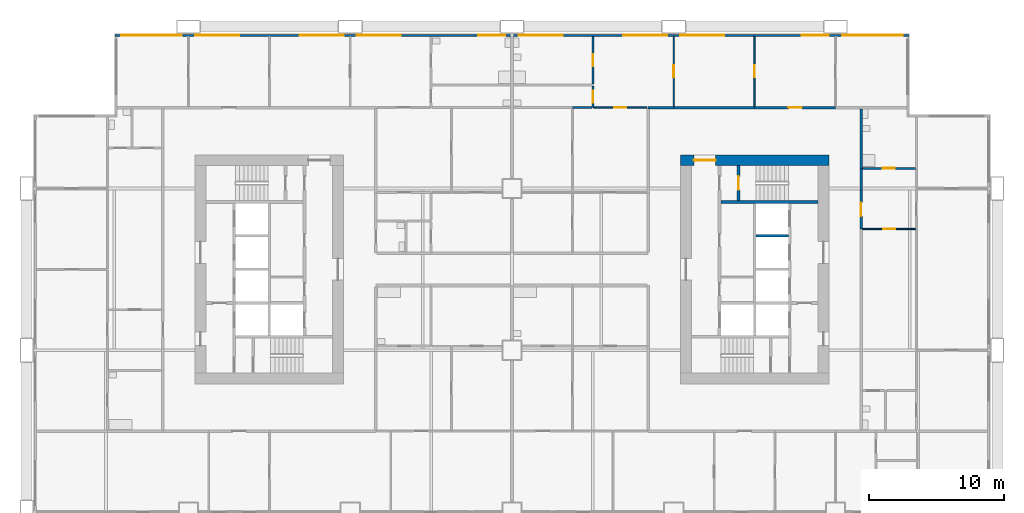
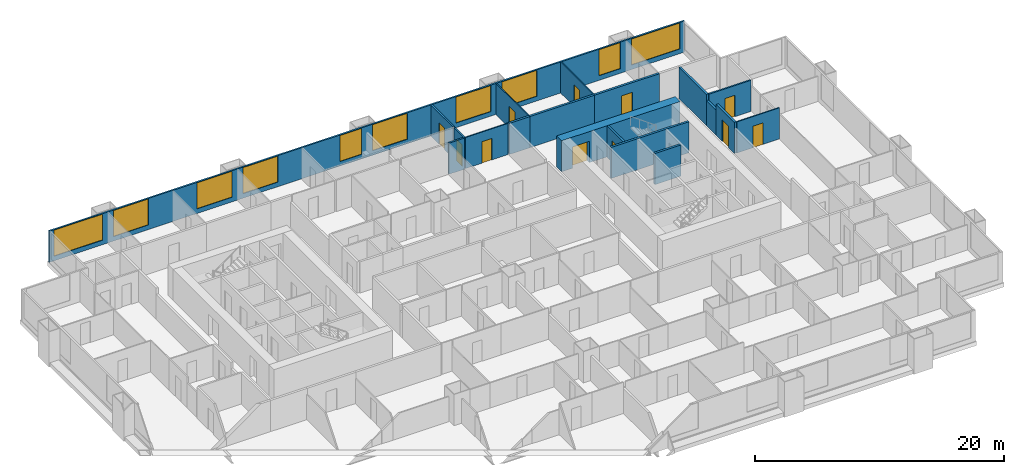
# One storey, part 9 of 13: 19 walls, 11 doors, 10 windows, 21 openings.
"""IFC4 building model written with IfcOpenShell, lengths in metres."""

from ifc_helpers import new_model, si_unit, direction, frame, frame_2d, origin, place, context, subcontext, project, spatial, rectangle, extrude, material, layer, layer_set, type_object, element, fill, save


model = new_model("IFC4")

# Units and contexts
model_context = context("Model", 3, precision=1e-05, world=origin(), true_north=direction((0.0, 1.0)))
body_context = subcontext(model_context, "Body", "Model", "MODEL_VIEW")
ifc_project = project(units=[si_unit("LENGTHUNIT", "METRE"), si_unit("AREAUNIT", "SQUARE_METRE"), si_unit("VOLUMEUNIT", "CUBIC_METRE"), si_unit("PLANEANGLEUNIT", "RADIAN"), si_unit("MASSUNIT", "GRAM", prefix="KILO")], contexts=[model_context])

# Site, building, storey
site_placement = place(None, origin())
site = spatial("IfcSite", under=ifc_project, at=site_placement, CompositionType="ELEMENT")
building_placement = place(site_placement, origin())
building = spatial("IfcBuilding", under=site, at=building_placement, Name="Kitamizu Gate Tower and Museum", CompositionType="ELEMENT")
storey_placement = place(building_placement, frame((0.0, 0.0, 36.89990234375)))
storey = spatial("IfcBuildingStorey", under=building, at=storey_placement, Name="L07", CompositionType="ELEMENT", Elevation=36.89990234375)

# Wall, opening, door
ifc_material_1 = material(Name="Concrete Fc60", Category="concrete")
ifc_layer_1 = layer(ifc_material_1, 0.800048828125)
ifc_layer_set_1 = layer_set([ifc_layer_1], Name="Concrete Fc60")
wall_type_1 = type_object("IfcWallType", Name="Core wall 800", PredefinedType="SHEAR", material=ifc_layer_set_1)
wall_1_placement = place(storey_placement, frame((59.5, 38.10009765625, 0.0), z_axis=(0.0, 0.0, 1.0), x_axis=(-1.0, 0.0, 0.0)))
wall_1 = element("IfcWall", 1, at=wall_1_placement, inside=storey, type_object=wall_type_1, Name="Core wall EN", PredefinedType="SHEAR", context=body_context, shape_type="SweptSolid", body=[
    extrude(rectangle(XDim=11.0, YDim=0.800048828125, at=frame_2d((5.5, 0.0))), origin(), (0.0, 0.0, 1.0), 3.050048828125),
])
opening_1_placement = place(wall_1_placement, frame((8.39990234375, 0.0, 0.0)))
opening_1 = element("IfcOpeningElement", 2, at=opening_1_placement, cuts=wall_1, Name="Opening L07-096", PredefinedType="OPENING", context=body_context, shape_type="SweptSolid", body=[
    extrude(rectangle(XDim=1.60009765625, YDim=2.10009765625, at=frame_2d((0.800048828125, 1.050048828125))), frame((0.0, 0.41015625, 0.0), z_axis=(0.0, -1.0, 0.0), x_axis=(1.0, 0.0, 0.0)), (0.0, 0.0, 1.0), 0.820068359375),
])
ifc_material_2 = material(Name="Timber door set", Category="wood")
door_type_1 = type_object("IfcDoorType", Name="Entrance door 1600", OperationType="DOUBLE_DOOR_SINGLE_SWING", PredefinedType="DOOR", material=ifc_material_2)
door_1_placement = place(opening_1_placement, origin())
door_1 = element("IfcDoor", 3, at=door_1_placement, inside=storey, type_object=door_type_1, Name="Lobby door L07-096", OperationType="DOUBLE_DOOR_SINGLE_SWING", OverallHeight=2.10009765625, OverallWidth=1.60009765625, PredefinedType="DOOR", context=body_context, shape_type="SweptSolid", body=[
    extrude(rectangle(XDim=1.60009765625, YDim=2.10009765625, at=frame_2d((0.800048828125, 1.050048828125))), frame((0.0, 0.02490234375, 0.0), z_axis=(0.0, -1.0, 0.0), x_axis=(1.0, 0.0, 0.0)), (0.0, 0.0, 1.0), 0.050048828125),
])
fill(opening_1, door_1)

ifc_material_3 = material(Name="Gypsum board on galvanised stud")
ifc_layer_2 = layer(ifc_material_3, 0.10009765625)
ifc_layer_set_2 = layer_set([ifc_layer_2], Name="Gypsum board on galvanised stud")
wall_type_2 = type_object("IfcWallType", Name="Partition 100 NOT RATED", PredefinedType="PARTITIONING", material=ifc_layer_set_2)
wall_2_placement = place(storey_placement, frame((65.949951171875, 33.0, 0.0), z_axis=(0.0, 0.0, 1.0), x_axis=(-1.0, 0.0, 0.0)))
wall_2 = element("IfcWall", 4, at=wall_2_placement, inside=storey, type_object=wall_type_2, Name="Partition L07-138", PredefinedType="PARTITIONING", context=body_context, shape_type="SweptSolid", body=[
    extrude(rectangle(XDim=3.949951171875, YDim=0.10009765625, at=frame_2d((1.97509765625, 0.0))), origin(), (0.0, 0.0, 1.0), 3.050048828125),
])
opening_2_placement = place(wall_2_placement, frame((1.52490234375, 0.0, 0.0)))
opening_2 = element("IfcOpeningElement", 5, at=opening_2_placement, cuts=wall_2, Name="Opening L07-050", PredefinedType="OPENING", context=body_context, shape_type="SweptSolid", body=[
    extrude(rectangle(XDim=0.89990234375, YDim=2.10009765625, at=frame_2d((0.449951171875, 1.050048828125))), frame((0.0, 0.06005859375, 0.0), z_axis=(0.0, -1.0, 0.0), x_axis=(1.0, 0.0, 0.0)), (0.0, 0.0, 1.0), 0.1201171875),
])
ifc_material_4 = material(Name="Timber door set", Category="wood")
door_type_2 = type_object("IfcDoorType", Name="Room door 900", OperationType="NOTDEFINED", PredefinedType="DOOR", material=ifc_material_4)
door_2_placement = place(opening_2_placement, frame((0.89990234375, 0.0, 0.0), x_axis=(-1.0, 0.0, 0.0)))
door_2 = element("IfcDoor", 6, at=door_2_placement, inside=storey, type_object=door_type_2, Name="Door L07-050", OperationType="SINGLE_SWING_LEFT", OverallHeight=2.10009765625, OverallWidth=0.89990234375, PredefinedType="DOOR", context=body_context, shape_type="SweptSolid", body=[
    extrude(rectangle(XDim=0.89990234375, YDim=2.10009765625, at=frame_2d((0.449951171875, 1.050048828125))), frame((0.0, 0.02490234375, 0.0), z_axis=(0.0, -1.0, 0.0), x_axis=(1.0, 0.0, 0.0)), (0.0, 0.0, 1.0), 0.050048828125),
])
fill(opening_2, door_2)

wall_3_placement = place(storey_placement, frame((48.0, 42.10009765625, 0.0), z_axis=(0.0, 0.0, 1.0), x_axis=(0.0, 1.0, 0.0)))
wall_3 = element("IfcWall", 7, at=wall_3_placement, inside=storey, type_object=wall_type_2, Name="Partition L07-184", PredefinedType="PARTITIONING", context=body_context, shape_type="SweptSolid", body=[
    extrude(rectangle(XDim=5.179931640625, YDim=0.10009765625, at=frame_2d((2.58984375, 0.0))), origin(), (0.0, 0.0, 1.0), 3.050048828125),
])
opening_3_placement = place(wall_3_placement, frame((2.139892578125, 0.0, 0.0)))
opening_3 = element("IfcOpeningElement", 8, at=opening_3_placement, cuts=wall_3, Name="Opening L07-071", PredefinedType="OPENING", context=body_context, shape_type="SweptSolid", body=[
    extrude(rectangle(XDim=0.89990234375, YDim=2.10009765625, at=frame_2d((0.449951171875, 1.050048828125))), frame((0.0, 0.06005859375, 0.0), z_axis=(0.0, -1.0, 0.0), x_axis=(1.0, 0.0, 0.0)), (0.0, 0.0, 1.0), 0.1201171875),
])
door_3_placement = place(opening_3_placement, origin())
door_3 = element("IfcDoor", 9, at=door_3_placement, inside=storey, type_object=door_type_2, Name="Door L07-071", OperationType="SINGLE_SWING_RIGHT", OverallHeight=2.10009765625, OverallWidth=0.89990234375, PredefinedType="DOOR", context=body_context, shape_type="SweptSolid", body=[
    extrude(rectangle(XDim=0.89990234375, YDim=2.10009765625, at=frame_2d((0.449951171875, 1.050048828125))), frame((0.0, 0.02490234375, 0.0), z_axis=(0.0, -1.0, 0.0), x_axis=(1.0, 0.0, 0.0)), (0.0, 0.0, 1.0), 0.050048828125),
])
fill(opening_3, door_3)

wall_4_placement = place(storey_placement, frame((42.074951171875, 42.0, 0.0), z_axis=(0.0, 0.0, 1.0), x_axis=(1.0, 0.0, 0.0)))
wall_4 = element("IfcWall", 10, at=wall_4_placement, inside=storey, type_object=wall_type_2, Name="Partition L07-185", PredefinedType="PARTITIONING", context=body_context, shape_type="SweptSolid", body=[
    extrude(rectangle(XDim=3.925048828125, YDim=0.10009765625, at=frame_2d((1.96240234375, 0.0))), origin(), (0.0, 0.0, 1.0), 3.050048828125),
])
opening_4_placement = place(wall_4_placement, frame((1.512451171875, 0.0, 0.0)))
opening_4 = element("IfcOpeningElement", 11, at=opening_4_placement, cuts=wall_4, Name="Opening L07-072", PredefinedType="OPENING", context=body_context, shape_type="SweptSolid", body=[
    extrude(rectangle(XDim=0.89990234375, YDim=2.10009765625, at=frame_2d((0.449951171875, 1.050048828125))), frame((0.0, 0.06005859375, 0.0), z_axis=(0.0, -1.0, 0.0), x_axis=(1.0, 0.0, 0.0)), (0.0, 0.0, 1.0), 0.1201171875),
])
door_4_placement = place(opening_4_placement, origin())
door_4 = element("IfcDoor", 12, at=door_4_placement, inside=storey, type_object=door_type_2, Name="Door L07-072", OperationType="SINGLE_SWING_LEFT", OverallHeight=2.10009765625, OverallWidth=0.89990234375, PredefinedType="DOOR", context=body_context, shape_type="SweptSolid", body=[
    extrude(rectangle(XDim=0.89990234375, YDim=2.10009765625, at=frame_2d((0.449951171875, 1.050048828125))), frame((0.0, 0.02490234375, 0.0), z_axis=(0.0, -1.0, 0.0), x_axis=(1.0, 0.0, 0.0)), (0.0, 0.0, 1.0), 0.050048828125),
])
fill(opening_4, door_4)

wall_5_placement = place(storey_placement, frame((54.0, 42.10009765625, 0.0), z_axis=(0.0, 0.0, 1.0), x_axis=(0.0, 1.0, 0.0)))
wall_5 = element("IfcWall", 13, at=wall_5_placement, inside=storey, type_object=wall_type_2, Name="Partition L07-187", PredefinedType="PARTITIONING", context=body_context, shape_type="SweptSolid", body=[
    extrude(rectangle(XDim=5.179931640625, YDim=0.10009765625, at=frame_2d((2.58984375, 0.0))), origin(), (0.0, 0.0, 1.0), 3.050048828125),
])
opening_5_placement = place(wall_5_placement, frame((2.139892578125, 0.0, 0.0)))
opening_5 = element("IfcOpeningElement", 14, at=opening_5_placement, cuts=wall_5, Name="Opening L07-070", PredefinedType="OPENING", context=body_context, shape_type="SweptSolid", body=[
    extrude(rectangle(XDim=0.89990234375, YDim=2.10009765625, at=frame_2d((0.449951171875, 1.050048828125))), frame((0.0, 0.06005859375, 0.0), z_axis=(0.0, -1.0, 0.0), x_axis=(1.0, 0.0, 0.0)), (0.0, 0.0, 1.0), 0.1201171875),
])
door_5_placement = place(opening_5_placement, origin())
door_5 = element("IfcDoor", 15, at=door_5_placement, inside=storey, type_object=door_type_2, Name="Door L07-070", OperationType="SINGLE_SWING_LEFT", OverallHeight=2.10009765625, OverallWidth=0.89990234375, PredefinedType="DOOR", context=body_context, shape_type="SweptSolid", body=[
    extrude(rectangle(XDim=0.89990234375, YDim=2.10009765625, at=frame_2d((0.449951171875, 1.050048828125))), frame((0.0, 0.02490234375, 0.0), z_axis=(0.0, -1.0, 0.0), x_axis=(1.0, 0.0, 0.0)), (0.0, 0.0, 1.0), 0.050048828125),
])
fill(opening_5, door_5)

ifc_material_5 = material(Name="Gypsum board on galvanised stud")
ifc_layer_3 = layer(ifc_material_5, 0.14990234375)
ifc_layer_set_3 = layer_set([ifc_layer_3], Name="Gypsum board on galvanised stud")
wall_type_3 = type_object("IfcWallType", Name="Partition 150", PredefinedType="PARTITIONING", material=ifc_layer_set_3)
wall_6_placement = place(storey_placement, frame((65.925048828125, 37.5, 0.0), z_axis=(0.0, 0.0, 1.0), x_axis=(-1.0, 0.0, 0.0)))
wall_6 = element("IfcWall", 16, at=wall_6_placement, inside=storey, type_object=wall_type_3, Name="Partition L07-141", PredefinedType="PARTITIONING", context=body_context, shape_type="SweptSolid", body=[
    extrude(rectangle(XDim=3.925048828125, YDim=0.14990234375, at=frame_2d((1.96240234375, 0.0))), origin(), (0.0, 0.0, 1.0), 3.050048828125),
])
opening_6_placement = place(wall_6_placement, frame((1.512451171875, 0.0, 0.0)))
opening_6 = element("IfcOpeningElement", 17, at=opening_6_placement, cuts=wall_6, Name="Opening L07-052", PredefinedType="OPENING", context=body_context, shape_type="SweptSolid", body=[
    extrude(rectangle(XDim=0.89990234375, YDim=2.10009765625, at=frame_2d((0.449951171875, 1.050048828125))), frame((0.0, 0.0849609375, 0.0), z_axis=(0.0, -1.0, 0.0), x_axis=(1.0, 0.0, 0.0)), (0.0, 0.0, 1.0), 0.169921875),
])
ifc_material_6 = material(Name="Timber door set", Category="wood")
door_type_3 = type_object("IfcDoorType", Name="Bathroom door 900", OperationType="NOTDEFINED", PredefinedType="DOOR", material=ifc_material_6)
door_6_placement = place(opening_6_placement, frame((0.89990234375, 0.0, 0.0), x_axis=(-1.0, 0.0, 0.0)))
door_6 = element("IfcDoor", 18, at=door_6_placement, inside=storey, type_object=door_type_3, Name="Bathroom door L07-052", OperationType="SINGLE_SWING_LEFT", OverallHeight=2.10009765625, OverallWidth=0.89990234375, PredefinedType="DOOR", context=body_context, shape_type="SweptSolid", body=[
    extrude(rectangle(XDim=0.89990234375, YDim=2.10009765625, at=frame_2d((0.449951171875, 1.050048828125))), frame((0.0, 0.02490234375, 0.0), z_axis=(0.0, -1.0, 0.0), x_axis=(1.0, 0.0, 0.0)), (0.0, 0.0, 1.0), 0.050048828125),
])
fill(opening_6, door_6)

wall_7_placement = place(storey_placement, frame((42.0, 43.7548828125, 0.0), z_axis=(0.0, 0.0, 1.0), x_axis=(0.0, 1.0, 0.0)))
wall_7 = element("IfcWall", 19, at=wall_7_placement, inside=storey, type_object=wall_type_3, Name="Partition L07-180", PredefinedType="PARTITIONING", context=body_context, shape_type="SweptSolid", body=[
    extrude(rectangle(XDim=3.525146484375, YDim=0.14990234375, at=frame_2d((1.7626953125, 0.0))), origin(), (0.0, 0.0, 1.0), 3.050048828125),
])
opening_7_placement = place(wall_7_placement, frame((1.3125, 0.0, 0.0)))
opening_7 = element("IfcOpeningElement", 20, at=opening_7_placement, cuts=wall_7, Name="Opening L07-074", PredefinedType="OPENING", context=body_context, shape_type="SweptSolid", body=[
    extrude(rectangle(XDim=0.89990234375, YDim=2.10009765625, at=frame_2d((0.449951171875, 1.050048828125))), frame((0.0, 0.0849609375, 0.0), z_axis=(0.0, -1.0, 0.0), x_axis=(1.0, 0.0, 0.0)), (0.0, 0.0, 1.0), 0.169921875),
])
door_7_placement = place(opening_7_placement, origin())
door_7 = element("IfcDoor", 21, at=door_7_placement, inside=storey, type_object=door_type_3, Name="Bathroom door L07-074", OperationType="SINGLE_SWING_LEFT", OverallHeight=2.10009765625, OverallWidth=0.89990234375, PredefinedType="DOOR", context=body_context, shape_type="SweptSolid", body=[
    extrude(rectangle(XDim=0.89990234375, YDim=2.10009765625, at=frame_2d((0.449951171875, 1.050048828125))), frame((0.0, 0.02490234375, 0.0), z_axis=(0.0, -1.0, 0.0), x_axis=(1.0, 0.0, 0.0)), (0.0, 0.0, 1.0), 0.050048828125),
])
fill(opening_7, door_7)

wall_8_placement = place(storey_placement, frame((42.0, 42.0, 0.0), z_axis=(0.0, 0.0, 1.0), x_axis=(0.0, 1.0, 0.0)))
wall_8 = element("IfcWall", 22, at=wall_8_placement, inside=storey, type_object=wall_type_3, Name="Partition L07-181", PredefinedType="PARTITIONING", context=body_context, shape_type="SweptSolid", body=[
    extrude(rectangle(XDim=1.60498046875, YDim=0.14990234375, at=frame_2d((0.802490234375, 0.0))), origin(), (0.0, 0.0, 1.0), 3.050048828125),
])
opening_8_placement = place(wall_8_placement, frame((0.3525390625, 0.0, 0.0)))
opening_8 = element("IfcOpeningElement", 23, at=opening_8_placement, cuts=wall_8, Name="Opening L07-075", PredefinedType="OPENING", context=body_context, shape_type="SweptSolid", body=[
    extrude(rectangle(XDim=0.89990234375, YDim=2.10009765625, at=frame_2d((0.449951171875, 1.050048828125))), frame((0.0, 0.0849609375, 0.0), z_axis=(0.0, -1.0, 0.0), x_axis=(1.0, 0.0, 0.0)), (0.0, 0.0, 1.0), 0.169921875),
])
door_8_placement = place(opening_8_placement, origin())
door_8 = element("IfcDoor", 24, at=door_8_placement, inside=storey, type_object=door_type_3, Name="Bathroom door L07-075", OperationType="SINGLE_SWING_RIGHT", OverallHeight=2.10009765625, OverallWidth=0.89990234375, PredefinedType="DOOR", context=body_context, shape_type="SweptSolid", body=[
    extrude(rectangle(XDim=0.89990234375, YDim=2.10009765625, at=frame_2d((0.449951171875, 1.050048828125))), frame((0.0, 0.02490234375, 0.0), z_axis=(0.0, -1.0, 0.0), x_axis=(1.0, 0.0, 0.0)), (0.0, 0.0, 1.0), 0.050048828125),
])
fill(opening_8, door_8)

# Walls
wall_9_placement = place(storey_placement, frame((40.5, 42.0, 0.0), z_axis=(0.0, 0.0, 1.0), x_axis=(1.0, 0.0, 0.0)))
element("IfcWall", 25, at=wall_9_placement, inside=storey, type_object=wall_type_3, Name="Partition L07-183", PredefinedType="PARTITIONING", context=body_context, shape_type="SweptSolid", body=[
    extrude(rectangle(XDim=1.425048828125, YDim=0.14990234375, at=frame_2d((0.71240234375, 0.0))), origin(), (0.0, 0.0, 1.0), 3.050048828125),
])
ifc_material_7 = material(Name="Gypsum board on galvanised stud")
ifc_layer_4 = layer(ifc_material_7, 0.199951171875)
ifc_layer_set_4 = layer_set([ifc_layer_4], Name="Gypsum board on galvanised stud")
wall_type_4 = type_object("IfcWallType", Name="Partition 200", PredefinedType="PARTITIONING", material=ifc_layer_set_4)
wall_10_placement = place(storey_placement, frame((61.89990234375, 37.5, 0.0), z_axis=(0.0, 0.0, 1.0), x_axis=(0.0, -1.0, 0.0)))
element("IfcWall", 26, at=wall_10_placement, inside=storey, type_object=wall_type_4, Name="Partition L07-142", PredefinedType="PARTITIONING", context=body_context, shape_type="SweptSolid", body=[
    extrude(rectangle(XDim=1.60009765625, YDim=0.199951171875, at=frame_2d((0.800048828125, 0.0))), origin(), (0.0, 0.0, 1.0), 2.4501953125),
])

# Wall, opening, door
wall_11_placement = place(storey_placement, frame((61.89990234375, 35.89990234375, 0.0), z_axis=(0.0, 0.0, 1.0), x_axis=(0.0, -1.0, 0.0)))
wall_11 = element("IfcWall", 27, at=wall_11_placement, inside=storey, type_object=wall_type_4, Name="Partition L07-143", PredefinedType="PARTITIONING", context=body_context, shape_type="SweptSolid", body=[
    extrude(rectangle(XDim=2.89990234375, YDim=0.199951171875, at=frame_2d((1.449951171875, 0.0))), origin(), (0.0, 0.0, 1.0), 3.050048828125),
])
opening_9_placement = place(wall_11_placement, frame((0.949951171875, 0.0, 0.0)))
opening_9 = element("IfcOpeningElement", 28, at=opening_9_placement, cuts=wall_11, Name="Opening L07-048", PredefinedType="OPENING", context=body_context, shape_type="SweptSolid", body=[
    extrude(rectangle(XDim=1.0, YDim=2.10009765625, at=frame_2d((0.5, 1.050048828125))), frame((0.0, 0.10986328125, 0.0), z_axis=(0.0, -1.0, 0.0), x_axis=(1.0, 0.0, 0.0)), (0.0, 0.0, 1.0), 0.219970703125),
])
ifc_material_8 = material(Name="Timber door set", Category="wood")
door_type_4 = type_object("IfcDoorType", Name="Flat entrance door 1000", OperationType="NOTDEFINED", PredefinedType="DOOR", material=ifc_material_8)
door_9_placement = place(opening_9_placement, origin())
door_9 = element("IfcDoor", 29, at=door_9_placement, inside=storey, type_object=door_type_4, Name="Flat entrance door L07-048", OperationType="SINGLE_SWING_LEFT", OverallHeight=2.10009765625, OverallWidth=1.0, PredefinedType="DOOR", context=body_context, shape_type="SweptSolid", body=[
    extrude(rectangle(XDim=1.0, YDim=2.10009765625, at=frame_2d((0.5, 1.050048828125))), frame((0.0, 0.02490234375, 0.0), z_axis=(0.0, -1.0, 0.0), x_axis=(1.0, 0.0, 0.0)), (0.0, 0.0, 1.0), 0.050048828125),
])
fill(opening_9, door_9)

# Walls
wall_12_placement = place(storey_placement, frame((61.89990234375, 41.89990234375, 0.0), z_axis=(0.0, 0.0, 1.0), x_axis=(0.0, -1.0, 0.0)))
element("IfcWall", 30, at=wall_12_placement, inside=storey, type_object=wall_type_4, Name="Partition L07-145", PredefinedType="PARTITIONING", context=body_context, shape_type="SweptSolid", body=[
    extrude(rectangle(XDim=4.39990234375, YDim=0.199951171875, at=frame_2d((2.199951171875, 0.0))), origin(), (0.0, 0.0, 1.0), 3.050048828125),
])
wall_13_placement = place(storey_placement, frame((46.10009765625, 42.0, 0.0), z_axis=(0.0, 0.0, 1.0), x_axis=(1.0, 0.0, 0.0)))
element("IfcWall", 31, at=wall_13_placement, inside=storey, type_object=wall_type_4, Name="Partition L07-186", PredefinedType="PARTITIONING", context=body_context, shape_type="SweptSolid", body=[
    extrude(rectangle(XDim=1.89990234375, YDim=0.199951171875, at=frame_2d((0.949951171875, 0.0))), origin(), (0.0, 0.0, 1.0), 3.050048828125),
])
wall_14_placement = place(storey_placement, frame((48.0, 42.0, 0.0), z_axis=(0.0, 0.0, 1.0), x_axis=(1.0, 0.0, 0.0)))
element("IfcWall", 32, at=wall_14_placement, inside=storey, type_object=wall_type_4, Name="Partition L07-188", PredefinedType="PARTITIONING", context=body_context, shape_type="SweptSolid", body=[
    extrude(rectangle(XDim=6.0, YDim=0.199951171875, at=frame_2d((3.0, 0.0))), origin(), (0.0, 0.0, 1.0), 3.050048828125),
])

# Wall, opening, door
wall_15_placement = place(storey_placement, frame((54.0, 42.0, 0.0), z_axis=(0.0, 0.0, 1.0), x_axis=(1.0, 0.0, 0.0)))
wall_15 = element("IfcWall", 33, at=wall_15_placement, inside=storey, type_object=wall_type_4, Name="Partition L07-190", PredefinedType="PARTITIONING", context=body_context, shape_type="SweptSolid", body=[
    extrude(rectangle(XDim=6.0, YDim=0.199951171875, at=frame_2d((3.0, 0.0))), origin(), (0.0, 0.0, 1.0), 3.050048828125),
])
opening_10_placement = place(wall_15_placement, frame((2.5, 0.0, 0.0)))
opening_10 = element("IfcOpeningElement", 34, at=opening_10_placement, cuts=wall_15, Name="Opening L07-068", PredefinedType="OPENING", context=body_context, shape_type="SweptSolid", body=[
    extrude(rectangle(XDim=1.0, YDim=2.10009765625, at=frame_2d((0.5, 1.050048828125))), frame((0.0, 0.10986328125, 0.0), z_axis=(0.0, -1.0, 0.0), x_axis=(1.0, 0.0, 0.0)), (0.0, 0.0, 1.0), 0.219970703125),
])
door_10_placement = place(opening_10_placement, origin())
door_10 = element("IfcDoor", 35, at=door_10_placement, inside=storey, type_object=door_type_4, Name="Flat entrance door L07-068", OperationType="SINGLE_SWING_LEFT", OverallHeight=2.10009765625, OverallWidth=1.0, PredefinedType="DOOR", context=body_context, shape_type="SweptSolid", body=[
    extrude(rectangle(XDim=1.0, YDim=2.10009765625, at=frame_2d((0.5, 1.050048828125))), frame((0.0, 0.02490234375, 0.0), z_axis=(0.0, -1.0, 0.0), x_axis=(1.0, 0.0, 0.0)), (0.0, 0.0, 1.0), 0.050048828125),
])
fill(opening_10, door_10)

# Wall
ifc_material_9 = material(Name="Concrete Fc42", Category="concrete")
ifc_layer_5 = layer(ifc_material_9, 0.199951171875)
ifc_layer_set_5 = layer_set([ifc_layer_5], Name="Concrete Fc42")
wall_type_5 = type_object("IfcWallType", Name="Shaft wall 200", PredefinedType="SOLIDWALL", material=ifc_layer_set_5)
wall_16_placement = place(storey_placement, frame((58.699951171875, 35.0, 0.0), z_axis=(0.0, 0.0, 1.0), x_axis=(-1.0, 0.0, 0.0)))
element("IfcWall", 36, at=wall_16_placement, inside=storey, type_object=wall_type_5, Name="Shaft wall ENB", PredefinedType="SOLIDWALL", context=body_context, shape_type="SweptSolid", body=[
    extrude(rectangle(XDim=7.199951171875, YDim=0.199951171875, at=frame_2d((3.60009765625, 0.0))), origin(), (0.0, 0.0, 1.0), 3.050048828125),
])

# Wall, opening, door
wall_17_placement = place(storey_placement, frame((52.800048828125, 35.10009765625, 0.0), z_axis=(0.0, 0.0, 1.0), x_axis=(0.0, 1.0, 0.0)))
wall_17 = element("IfcWall", 37, at=wall_17_placement, inside=storey, type_object=wall_type_5, Name="Shaft wall ENZ", PredefinedType="SOLIDWALL", context=body_context, shape_type="SweptSolid", body=[
    extrude(rectangle(XDim=2.599853515625, YDim=0.199951171875, at=frame_2d((1.2998046875, 0.0))), origin(), (0.0, 0.0, 1.0), 3.050048828125),
])
opening_11_placement = place(wall_17_placement, frame((0.800048828125, 0.0, 0.0)))
opening_11 = element("IfcOpeningElement", 38, at=opening_11_placement, cuts=wall_17, Name="Opening L07-092", PredefinedType="OPENING", context=body_context, shape_type="SweptSolid", body=[
    extrude(rectangle(XDim=1.0, YDim=2.10009765625, at=frame_2d((0.5, 1.050048828125))), frame((0.0, 0.10986328125, 0.0), z_axis=(0.0, -1.0, 0.0), x_axis=(1.0, 0.0, 0.0)), (0.0, 0.0, 1.0), 0.219970703125),
])
ifc_material_10 = material(Name="Hollow metal door set")
door_type_5 = type_object("IfcDoorType", Name="Fire door 1000", OperationType="NOTDEFINED", PredefinedType="DOOR", material=ifc_material_10)
door_11_placement = place(opening_11_placement, frame((1.0, 0.0, 0.0), x_axis=(-1.0, 0.0, 0.0)))
door_11 = element("IfcDoor", 39, at=door_11_placement, inside=storey, type_object=door_type_5, Name="Stair door L07-092", OperationType="SINGLE_SWING_LEFT", OverallHeight=2.10009765625, OverallWidth=1.0, PredefinedType="DOOR", context=body_context, shape_type="SweptSolid", body=[
    extrude(rectangle(XDim=1.0, YDim=2.10009765625, at=frame_2d((0.5, 1.050048828125))), frame((0.0, 0.02490234375, 0.0), z_axis=(0.0, -1.0, 0.0), x_axis=(1.0, 0.0, 0.0)), (0.0, 0.0, 1.0), 0.050048828125),
])
fill(opening_11, door_11)

# Wall
wall_18_placement = place(storey_placement, frame((56.5, 32.5, 0.0), z_axis=(0.0, 0.0, 1.0), x_axis=(-1.0, 0.0, 0.0)))
element("IfcWall", 40, at=wall_18_placement, inside=storey, type_object=wall_type_5, Name="Shaft wall EDVW2", PredefinedType="SOLIDWALL", context=body_context, shape_type="SweptSolid", body=[
    extrude(rectangle(XDim=2.39990234375, YDim=0.199951171875, at=frame_2d((1.199951171875, 0.0))), origin(), (0.0, 0.0, 1.0), 3.050048828125),
])

# Wall, openings, windows
ifc_material_11 = material(Name="Bronze anodised aluminium frame with insulated spandrel and tinted glass", Category="aluminium")
ifc_layer_6 = layer(ifc_material_11, 0.14990234375)
ifc_layer_set_6 = layer_set([ifc_layer_6], Name="Bronze anodised aluminium frame with insulated spandrel and tinted glass")
wall_type_6 = type_object("IfcWallType", Name="WINDOW WALL 150 BRONZE FRAME EI 30", PredefinedType="ELEMENTEDWALL", material=ifc_layer_set_6)
wall_19_placement = place(storey_placement, frame((6.56005859375, 47.364990234375, 0.0), z_axis=(0.0, 0.0, 1.0), x_axis=(1.0, 0.0, 0.0)))
wall_19 = element("IfcWall", 41, at=wall_19_placement, inside=storey, type_object=wall_type_6, Name="Window wall north L07", PredefinedType="ELEMENTEDWALL", context=body_context, shape_type="SweptSolid", body=[
    extrude(rectangle(XDim=58.8798828125, YDim=0.14990234375, at=frame_2d((29.43994140625, 0.0))), origin(), (0.0, 0.0, 1.0), 3.050048828125),
])
opening_12_placement = place(wall_19_placement, frame((0.43994140625, 0.0, 0.449951171875)))
opening_12 = element("IfcOpeningElement", 42, at=opening_12_placement, cuts=wall_19, Name="Opening W15", PredefinedType="OPENING", context=body_context, shape_type="SweptSolid", body=[
    extrude(rectangle(XDim=4.5, YDim=2.550048828125, at=frame_2d((2.25, 1.27490234375))), frame((0.0, 0.0849609375, 0.0), z_axis=(0.0, -1.0, 0.0), x_axis=(1.0, 0.0, 0.0)), (0.0, 0.0, 1.0), 0.169921875),
])
opening_13_placement = place(wall_19_placement, frame((5.93994140625, 0.0, 0.449951171875)))
opening_13 = element("IfcOpeningElement", 43, at=opening_13_placement, cuts=wall_19, Name="Opening W34", PredefinedType="OPENING", context=body_context, shape_type="SweptSolid", body=[
    extrude(rectangle(XDim=3.25, YDim=2.550048828125, at=frame_2d((1.625, 1.27490234375))), frame((0.0, 0.0849609375, 0.0), z_axis=(0.0, -1.0, 0.0), x_axis=(1.0, 0.0, 0.0)), (0.0, 0.0, 1.0), 0.169921875),
])
opening_14_placement = place(wall_19_placement, frame((13.68994140625, 0.0, 0.449951171875)))
opening_14 = element("IfcOpeningElement", 44, at=opening_14_placement, cuts=wall_19, Name="Opening W34", PredefinedType="OPENING", context=body_context, shape_type="SweptSolid", body=[
    extrude(rectangle(XDim=3.25, YDim=2.550048828125, at=frame_2d((1.625, 1.27490234375))), frame((0.0, 0.0849609375, 0.0), z_axis=(0.0, -1.0, 0.0), x_axis=(1.0, 0.0, 0.0)), (0.0, 0.0, 1.0), 0.169921875),
])
opening_15_placement = place(wall_19_placement, frame((17.93994140625, 0.0, 0.449951171875)))
opening_15 = element("IfcOpeningElement", 45, at=opening_15_placement, cuts=wall_19, Name="Opening W34", PredefinedType="OPENING", context=body_context, shape_type="SweptSolid", body=[
    extrude(rectangle(XDim=3.25, YDim=2.550048828125, at=frame_2d((1.625, 1.27490234375))), frame((0.0, 0.0849609375, 0.0), z_axis=(0.0, -1.0, 0.0), x_axis=(1.0, 0.0, 0.0)), (0.0, 0.0, 1.0), 0.169921875),
])
opening_16_placement = place(wall_19_placement, frame((26.93994140625, 0.0, 0.449951171875)))
opening_16 = element("IfcOpeningElement", 46, at=opening_16_placement, cuts=wall_19, Name="Opening W2", PredefinedType="OPENING", context=body_context, shape_type="SweptSolid", body=[
    extrude(rectangle(XDim=2.0, YDim=2.550048828125, at=frame_2d((1.0, 1.27490234375))), frame((0.0, 0.0849609375, 0.0), z_axis=(0.0, -1.0, 0.0), x_axis=(1.0, 0.0, 0.0)), (0.0, 0.0, 1.0), 0.169921875),
])
opening_17_placement = place(wall_19_placement, frame((29.93994140625, 0.0, 0.449951171875)))
opening_17 = element("IfcOpeningElement", 47, at=opening_17_placement, cuts=wall_19, Name="Opening W34", PredefinedType="OPENING", context=body_context, shape_type="SweptSolid", body=[
    extrude(rectangle(XDim=3.25, YDim=2.550048828125, at=frame_2d((1.625, 1.27490234375))), frame((0.0, 0.0849609375, 0.0), z_axis=(0.0, -1.0, 0.0), x_axis=(1.0, 0.0, 0.0)), (0.0, 0.0, 1.0), 0.169921875),
])
opening_18_placement = place(wall_19_placement, frame((37.68994140625, 0.0, 0.449951171875)))
opening_18 = element("IfcOpeningElement", 48, at=opening_18_placement, cuts=wall_19, Name="Opening W34", PredefinedType="OPENING", context=body_context, shape_type="SweptSolid", body=[
    extrude(rectangle(XDim=3.25, YDim=2.550048828125, at=frame_2d((1.625, 1.27490234375))), frame((0.0, 0.0849609375, 0.0), z_axis=(0.0, -1.0, 0.0), x_axis=(1.0, 0.0, 0.0)), (0.0, 0.0, 1.0), 0.169921875),
])
opening_19_placement = place(wall_19_placement, frame((41.93994140625, 0.0, 0.449951171875)))
opening_19 = element("IfcOpeningElement", 49, at=opening_19_placement, cuts=wall_19, Name="Opening W34", PredefinedType="OPENING", context=body_context, shape_type="SweptSolid", body=[
    extrude(rectangle(XDim=3.25, YDim=2.550048828125, at=frame_2d((1.625, 1.27490234375))), frame((0.0, 0.0849609375, 0.0), z_axis=(0.0, -1.0, 0.0), x_axis=(1.0, 0.0, 0.0)), (0.0, 0.0, 1.0), 0.169921875),
])
opening_20_placement = place(wall_19_placement, frame((50.93994140625, 0.0, 0.449951171875)))
opening_20 = element("IfcOpeningElement", 50, at=opening_20_placement, cuts=wall_19, Name="Opening W2", PredefinedType="OPENING", context=body_context, shape_type="SweptSolid", body=[
    extrude(rectangle(XDim=2.0, YDim=2.550048828125, at=frame_2d((1.0, 1.27490234375))), frame((0.0, 0.0849609375, 0.0), z_axis=(0.0, -1.0, 0.0), x_axis=(1.0, 0.0, 0.0)), (0.0, 0.0, 1.0), 0.169921875),
])
opening_21_placement = place(wall_19_placement, frame((53.93994140625, 0.0, 0.449951171875)))
opening_21 = element("IfcOpeningElement", 51, at=opening_21_placement, cuts=wall_19, Name="Opening W15", PredefinedType="OPENING", context=body_context, shape_type="SweptSolid", body=[
    extrude(rectangle(XDim=4.5, YDim=2.550048828125, at=frame_2d((2.25, 1.27490234375))), frame((0.0, 0.0849609375, 0.0), z_axis=(0.0, -1.0, 0.0), x_axis=(1.0, 0.0, 0.0)), (0.0, 0.0, 1.0), 0.169921875),
])
ifc_material_12 = material(Name="Bronze anodised aluminium frame, tinted triple glazing", Category="aluminium")
window_type_1 = type_object("IfcWindowType", Name="WINDOW 2000 x 2550 SILL 450", PartitioningType="SINGLE_PANEL", PredefinedType="WINDOW", material=ifc_material_12)
window_1_placement = place(opening_16_placement, origin())
window_1 = element("IfcWindow", 52, at=window_1_placement, inside=storey, type_object=window_type_1, Name="Window W2 L07", OverallHeight=2.550048828125, OverallWidth=2.0, PartitioningType="SINGLE_PANEL", PredefinedType="WINDOW", context=body_context, shape_type="SweptSolid", body=[
    extrude(rectangle(XDim=2.0, YDim=2.550048828125, at=frame_2d((1.0, 1.27490234375))), frame((0.0, 0.030029296875, 0.0), z_axis=(0.0, -1.0, 0.0), x_axis=(1.0, 0.0, 0.0)), (0.0, 0.0, 1.0), 0.06005859375),
])
fill(opening_16, window_1)
window_2_placement = place(opening_20_placement, origin())
window_2 = element("IfcWindow", 53, at=window_2_placement, inside=storey, type_object=window_type_1, Name="Window W2 L07", OverallHeight=2.550048828125, OverallWidth=2.0, PartitioningType="SINGLE_PANEL", PredefinedType="WINDOW", context=body_context, shape_type="SweptSolid", body=[
    extrude(rectangle(XDim=2.0, YDim=2.550048828125, at=frame_2d((1.0, 1.27490234375))), frame((0.0, 0.030029296875, 0.0), z_axis=(0.0, -1.0, 0.0), x_axis=(1.0, 0.0, 0.0)), (0.0, 0.0, 1.0), 0.06005859375),
])
fill(opening_20, window_2)
ifc_material_13 = material(Name="Bronze anodised aluminium frame, tinted triple glazing", Category="aluminium")
window_type_2 = type_object("IfcWindowType", Name="WINDOW 3250 x 2550 SILL 450", PartitioningType="SINGLE_PANEL", PredefinedType="WINDOW", material=ifc_material_13)
window_3_placement = place(opening_13_placement, origin())
window_3 = element("IfcWindow", 54, at=window_3_placement, inside=storey, type_object=window_type_2, Name="Window W34 L07", OverallHeight=2.550048828125, OverallWidth=3.25, PartitioningType="SINGLE_PANEL", PredefinedType="WINDOW", context=body_context, shape_type="SweptSolid", body=[
    extrude(rectangle(XDim=3.25, YDim=2.550048828125, at=frame_2d((1.625, 1.27490234375))), frame((0.0, 0.030029296875, 0.0), z_axis=(0.0, -1.0, 0.0), x_axis=(1.0, 0.0, 0.0)), (0.0, 0.0, 1.0), 0.06005859375),
])
fill(opening_13, window_3)
window_4_placement = place(opening_14_placement, origin())
window_4 = element("IfcWindow", 55, at=window_4_placement, inside=storey, type_object=window_type_2, Name="Window W34 L07", OverallHeight=2.550048828125, OverallWidth=3.25, PartitioningType="SINGLE_PANEL", PredefinedType="WINDOW", context=body_context, shape_type="SweptSolid", body=[
    extrude(rectangle(XDim=3.25, YDim=2.550048828125, at=frame_2d((1.625, 1.27490234375))), frame((0.0, 0.030029296875, 0.0), z_axis=(0.0, -1.0, 0.0), x_axis=(1.0, 0.0, 0.0)), (0.0, 0.0, 1.0), 0.06005859375),
])
fill(opening_14, window_4)
window_5_placement = place(opening_15_placement, origin())
window_5 = element("IfcWindow", 56, at=window_5_placement, inside=storey, type_object=window_type_2, Name="Window W34 L07", OverallHeight=2.550048828125, OverallWidth=3.25, PartitioningType="SINGLE_PANEL", PredefinedType="WINDOW", context=body_context, shape_type="SweptSolid", body=[
    extrude(rectangle(XDim=3.25, YDim=2.550048828125, at=frame_2d((1.625, 1.27490234375))), frame((0.0, 0.030029296875, 0.0), z_axis=(0.0, -1.0, 0.0), x_axis=(1.0, 0.0, 0.0)), (0.0, 0.0, 1.0), 0.06005859375),
])
fill(opening_15, window_5)
window_6_placement = place(opening_17_placement, origin())
window_6 = element("IfcWindow", 57, at=window_6_placement, inside=storey, type_object=window_type_2, Name="Window W34 L07", OverallHeight=2.550048828125, OverallWidth=3.25, PartitioningType="SINGLE_PANEL", PredefinedType="WINDOW", context=body_context, shape_type="SweptSolid", body=[
    extrude(rectangle(XDim=3.25, YDim=2.550048828125, at=frame_2d((1.625, 1.27490234375))), frame((0.0, 0.030029296875, 0.0), z_axis=(0.0, -1.0, 0.0), x_axis=(1.0, 0.0, 0.0)), (0.0, 0.0, 1.0), 0.06005859375),
])
fill(opening_17, window_6)
window_7_placement = place(opening_18_placement, origin())
window_7 = element("IfcWindow", 58, at=window_7_placement, inside=storey, type_object=window_type_2, Name="Window W34 L07", OverallHeight=2.550048828125, OverallWidth=3.25, PartitioningType="SINGLE_PANEL", PredefinedType="WINDOW", context=body_context, shape_type="SweptSolid", body=[
    extrude(rectangle(XDim=3.25, YDim=2.550048828125, at=frame_2d((1.625, 1.27490234375))), frame((0.0, 0.030029296875, 0.0), z_axis=(0.0, -1.0, 0.0), x_axis=(1.0, 0.0, 0.0)), (0.0, 0.0, 1.0), 0.06005859375),
])
fill(opening_18, window_7)
window_8_placement = place(opening_19_placement, origin())
window_8 = element("IfcWindow", 59, at=window_8_placement, inside=storey, type_object=window_type_2, Name="Window W34 L07", OverallHeight=2.550048828125, OverallWidth=3.25, PartitioningType="SINGLE_PANEL", PredefinedType="WINDOW", context=body_context, shape_type="SweptSolid", body=[
    extrude(rectangle(XDim=3.25, YDim=2.550048828125, at=frame_2d((1.625, 1.27490234375))), frame((0.0, 0.030029296875, 0.0), z_axis=(0.0, -1.0, 0.0), x_axis=(1.0, 0.0, 0.0)), (0.0, 0.0, 1.0), 0.06005859375),
])
fill(opening_19, window_8)
ifc_material_14 = material(Name="Bronze anodised aluminium frame, tinted triple glazing", Category="aluminium")
window_type_3 = type_object("IfcWindowType", Name="WINDOW 4500 x 2550 SILL 450", PartitioningType="SINGLE_PANEL", PredefinedType="WINDOW", material=ifc_material_14)
window_9_placement = place(opening_12_placement, origin())
window_9 = element("IfcWindow", 60, at=window_9_placement, inside=storey, type_object=window_type_3, Name="Window W15 L07", OverallHeight=2.550048828125, OverallWidth=4.5, PartitioningType="SINGLE_PANEL", PredefinedType="WINDOW", context=body_context, shape_type="SweptSolid", body=[
    extrude(rectangle(XDim=4.5, YDim=2.550048828125, at=frame_2d((2.25, 1.27490234375))), frame((0.0, 0.030029296875, 0.0), z_axis=(0.0, -1.0, 0.0), x_axis=(1.0, 0.0, 0.0)), (0.0, 0.0, 1.0), 0.06005859375),
])
fill(opening_12, window_9)
window_10_placement = place(opening_21_placement, origin())
window_10 = element("IfcWindow", 61, at=window_10_placement, inside=storey, type_object=window_type_3, Name="Window W15 L07", OverallHeight=2.550048828125, OverallWidth=4.5, PartitioningType="SINGLE_PANEL", PredefinedType="WINDOW", context=body_context, shape_type="SweptSolid", body=[
    extrude(rectangle(XDim=4.5, YDim=2.550048828125, at=frame_2d((2.25, 1.27490234375))), frame((0.0, 0.030029296875, 0.0), z_axis=(0.0, -1.0, 0.0), x_axis=(1.0, 0.0, 0.0)), (0.0, 0.0, 1.0), 0.06005859375),
])
fill(opening_21, window_10)

save(model, "model.ifc")
